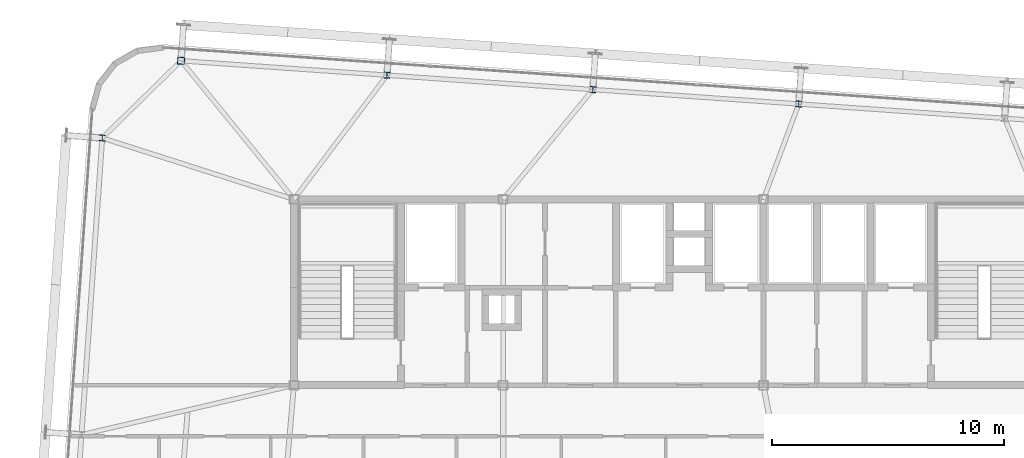
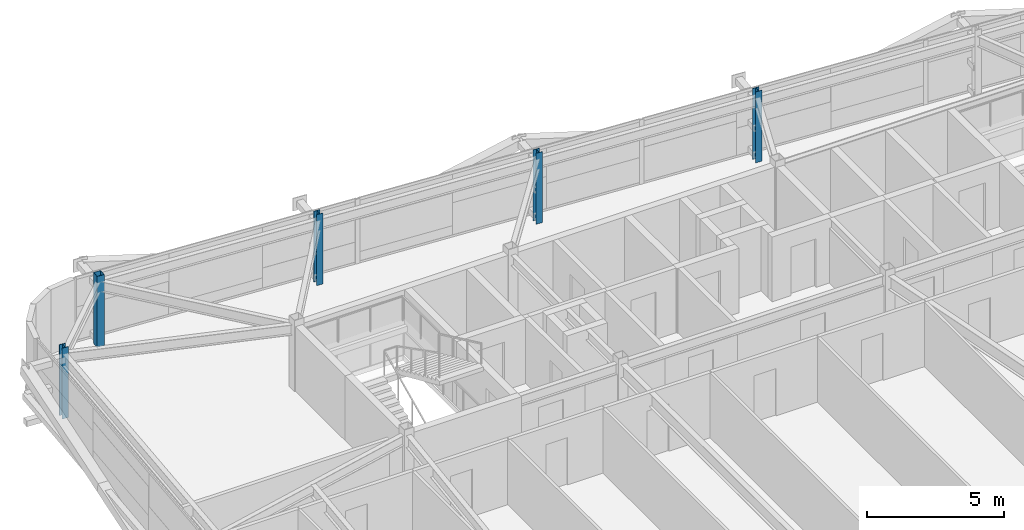
# One storey, part 4 of 39: 5 columns.
"""IFC4 building model written with IfcOpenShell, lengths in metres."""

from ifc_helpers import new_model, si_unit, direction, frame, origin, origin_2d, place, context, subcontext, project, spatial, hollow_rectangle, i_section, extrude, source, transform, mapped, material, material_profile, profile_set, type_object, element, save


model = new_model("IFC4")

# Units and contexts
model_context = context("Model", 3, precision=1e-05, world=origin(), true_north=direction((0.0, 1.0)))
body_context = subcontext(model_context, "Body", "Model", "MODEL_VIEW")
ifc_project = project(units=[si_unit("LENGTHUNIT", "METRE"), si_unit("AREAUNIT", "SQUARE_METRE"), si_unit("VOLUMEUNIT", "CUBIC_METRE"), si_unit("PLANEANGLEUNIT", "RADIAN"), si_unit("MASSUNIT", "GRAM", prefix="KILO")], contexts=[model_context])

# Site, building, storey
site_placement = place(None, origin())
site = spatial("IfcSite", under=ifc_project, at=site_placement, CompositionType="ELEMENT")
building_placement = place(site_placement, origin())
building = spatial("IfcBuilding", under=site, at=building_placement, Name="Taldren Reach Tower", CompositionType="ELEMENT")
storey_placement = place(building_placement, frame((0.0, 0.0, 161.35009765625)))
storey = spatial("IfcBuildingStorey", under=building, at=storey_placement, Name="L49", CompositionType="ELEMENT", Elevation=161.35009765625)

# Columns
ifc_material_1 = material(Name="Steel Gr 450 (C450L0)", Category="steel")
ifc_material_profile_1 = material_profile(ifc_material_1, hollow_rectangle(XDim=0.300048828125, YDim=0.300048828125, WallThickness=0.012451171875, at=origin_2d()), Name="300x300x12.5SHS")
ifc_profile_set_1 = profile_set([ifc_material_profile_1], Name="Steel Gr 450 (C450L0)")
column_type_1 = type_object("IfcColumnType", Name="COL-SHS300", PredefinedType="COLUMN", material=ifc_profile_set_1)
shared_shape_1 = source(origin(), body_context, "Body", "SweptSolid", [
    extrude(hollow_rectangle(XDim=0.300048828125, YDim=0.300048828125, WallThickness=0.012451171875, at=origin_2d()), origin(), (0.0, 0.0, 1.0), 3.14990234375),
])
column_placement = place(storey_placement, frame((14.14453125, 37.958740234375, 0.0), z_axis=(0.0, 0.0, 1.0), x_axis=(0.99756405026, -0.069756473744, 0.0)))
element("IfcColumn", 1, at=column_placement, inside=storey, type_object=column_type_1, Name="Block B3 perimeter column N1 L49", PredefinedType="COLUMN", context=body_context, shape_type="MappedRepresentation", body=[
    mapped(shared_shape_1, transform((0.0, 0.0, 0.0), scale=1.0)),
])
ifc_material_2 = material(Name="Steel Gr 350 (350PLUS)", Category="steel")
ifc_material_profile_2 = material_profile(ifc_material_2, i_section(OverallWidth=0.256103515625, OverallDepth=0.260009765625, WebThickness=0.010498046875, FlangeThickness=0.017333984375, at=origin_2d()), Name="250UC89.5")
ifc_profile_set_2 = profile_set([ifc_material_profile_2], Name="Steel Gr 350 (350PLUS)")
column_type_2 = type_object("IfcColumnType", Name="COL-UC250", PredefinedType="COLUMN", material=ifc_profile_set_2)
shared_shape_2 = source(origin(), body_context, "Body", "SweptSolid", [
    extrude(i_section(OverallWidth=0.256103515625, OverallDepth=0.260009765625, WebThickness=0.010498046875, FlangeThickness=0.017333984375, at=origin_2d()), origin(), (0.0, 0.0, 1.0), 3.14990234375),
])
for number, where, z_axis, x_axis, name in (
    (2, (23.0029296875, 37.33935546875, 0.0), (0.0, 0.0, 1.0), (0.99756405026, -0.069756473744, 0.0), "Block B3 perimeter column N2 L49"),
    (3, (31.861328125, 36.719970703125, 0.0), (0.0, 0.0, 1.0), (0.99756405026, -0.069756473744, 0.0), "Block B3 perimeter column N3 L49"),
    (4, (40.7197265625, 36.100341796875, 0.0), (0.0, 0.0, 1.0), (0.99756405026, -0.069756473744, 0.0), "Block B3 perimeter column N4 L49"),
    (5, (10.754638671875, 34.63720703125, 0.0), (0.0, 0.0, 1.0), (0.99756405026, -0.069756473744, 0.0), "Block B3 perimeter column W3 L49"),
):
    element("IfcColumn", number, at=place(storey_placement, frame(where, z_axis=z_axis, x_axis=x_axis)), inside=storey, type_object=column_type_2, Name=name, PredefinedType="COLUMN", context=body_context, shape_type="MappedRepresentation", body=[
        mapped(shared_shape_2, transform((0.0, 0.0, 0.0), scale=1.0)),
    ])

save(model, "model.ifc")
